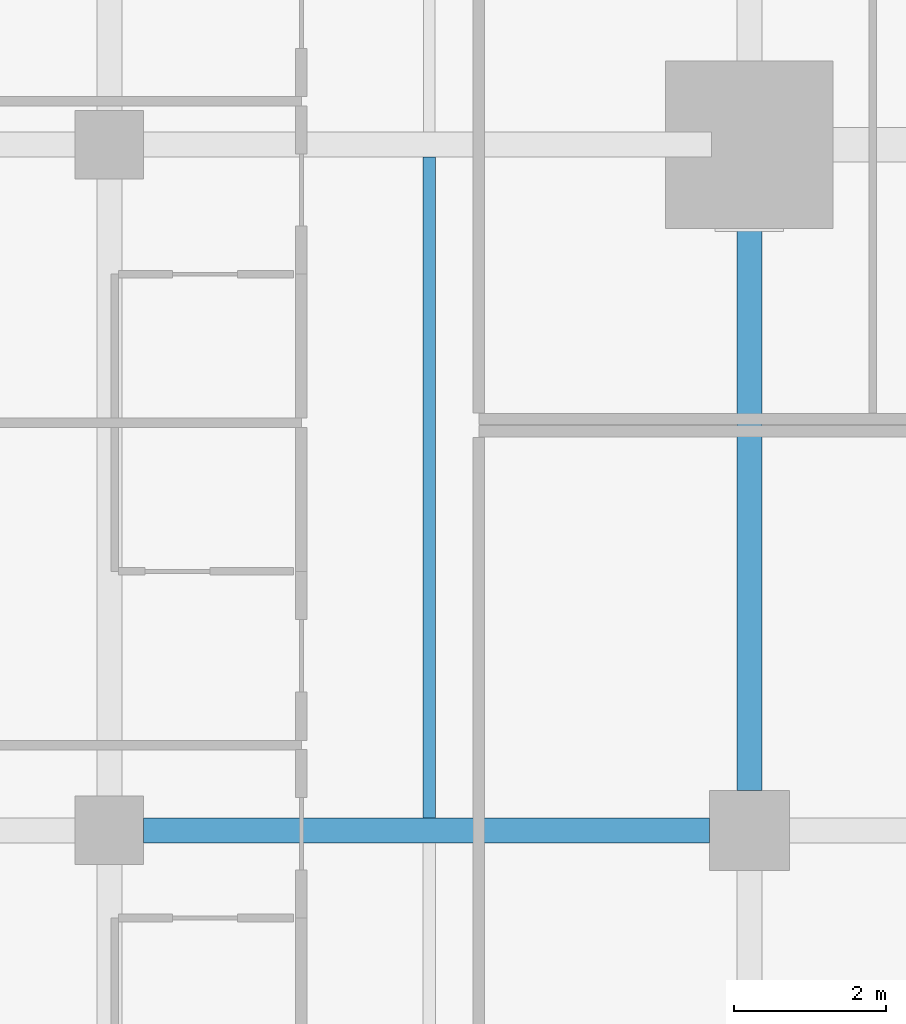
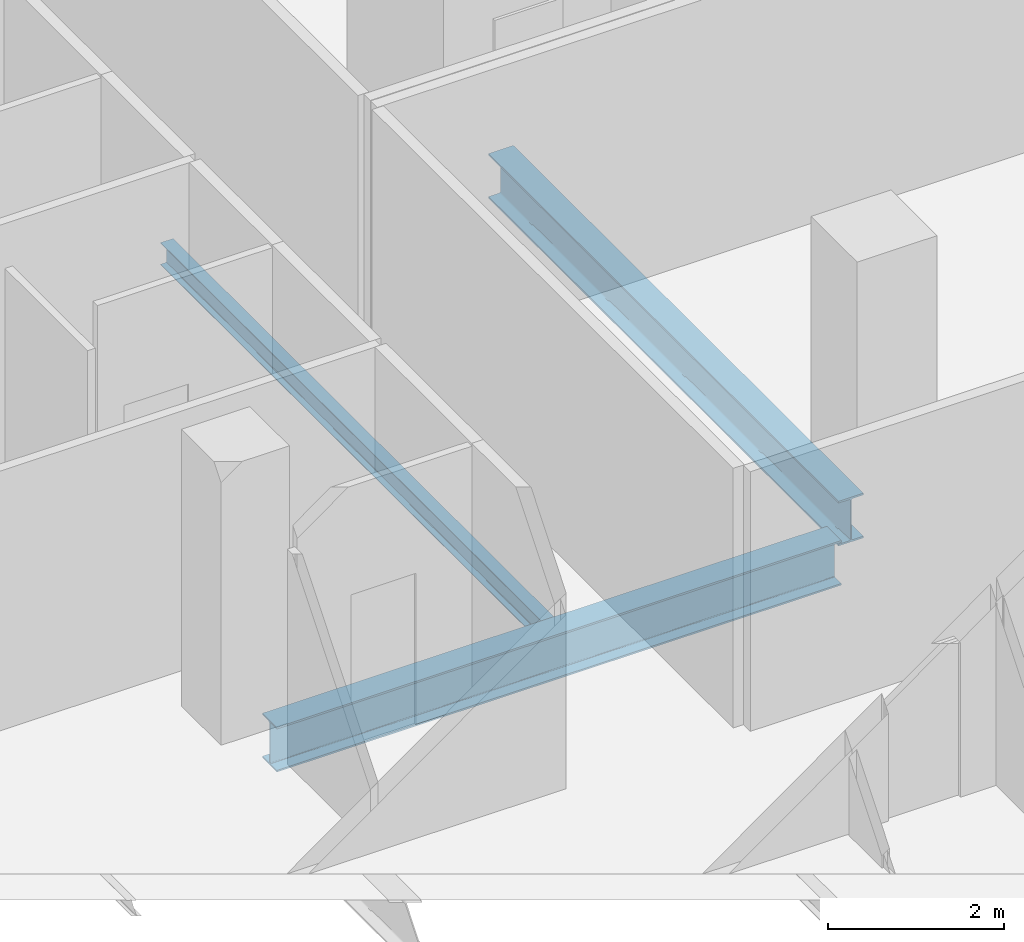
# One storey, part 11 of 40: 3 beams.
"""IFC4 building model written with IfcOpenShell, lengths in metres."""

import ifcopenshell
import ifcopenshell.guid

model = None  # the IFC model being written
_history = None  # IfcOwnerHistory: only IFC2X3 demands one
_inside = {}  # id of a spatial element -> (the spatial element, [elements in it])
_under = {}  # id of a project, library or spatial element -> (it, [spatial elements below it])
_declared = {}  # id of a project -> (the project, [libraries it declares])
_typed = {}  # id of a type object -> (the type object, [elements of that type])
_made_of = {}  # id of a material, layer set ... -> (it, [elements and type objects made of it])


def new_model(schema):
    """Start an empty IFC model of exactly this schema.

    Asked for "IFC4X3", IfcOpenShell would pick the latest addendum, in which some entities
    have other attributes; the version numbers below select the first issue.
    IFC2X3 requires an IfcOwnerHistory on every rooted entity: one is made here for all.
    """
    global model, _history
    if schema == "IFC4X3":
        model = ifcopenshell.file(schema_version=(4, 3, 0, 0))
    else:
        model = ifcopenshell.file(schema=schema)
    _inside.clear()
    _under.clear()
    _declared.clear()
    _typed.clear()
    _made_of.clear()
    _history = None
    if model.schema == "IFC2X3":
        org = make("IfcOrganization", Name="unknown")
        user = make(
            "IfcPersonAndOrganization",
            ThePerson=make("IfcPerson", FamilyName="unknown"),
            TheOrganization=org,
        )
        app = make(
            "IfcApplication",
            ApplicationDeveloper=org,
            Version="unknown",
            ApplicationFullName="unknown",
            ApplicationIdentifier="unknown",
        )
        _history = make(
            "IfcOwnerHistory",
            OwningUser=user,
            OwningApplication=app,
            ChangeAction="ADDED",
            CreationDate=0,
        )
    return model


def make(cls, **values):
    """One entity of the class cls with the attributes given. An attribute that is None is left unset."""
    return model.create_entity(
        cls, **{name: value for name, value in values.items() if value is not None}
    )


def rooted(cls, **values):
    """An entity with a GlobalId (a new one), such as an element, a storey or a relation."""
    return make(cls, GlobalId=ifcopenshell.guid.new(), OwnerHistory=_history, **values)


def si_unit(unit_type, name, prefix=None):
    """IfcSIUnit, for example si_unit("LENGTHUNIT", "METRE", prefix="MILLI")."""
    return make("IfcSIUnit", UnitType=unit_type, Prefix=prefix, Name=name)


def assignment(units):
    """IfcUnitAssignment: the units of a project."""
    return None if units is None else make("IfcUnitAssignment", Units=units)


def point(xyz):
    """IfcCartesianPoint."""
    return None if xyz is None else make("IfcCartesianPoint", Coordinates=xyz)


def direction(xyz):
    """IfcDirection."""
    return None if xyz is None else make("IfcDirection", DirectionRatios=xyz)


def frame(location, z_axis=None, x_axis=None):
    """IfcAxis2Placement3D, a coordinate frame: its origin and axes. An axis left out is left unset."""
    return make(
        "IfcAxis2Placement3D",
        Location=point(location),
        Axis=direction(z_axis),
        RefDirection=direction(x_axis),
    )


def frame_2d(location, x_axis=None):
    """IfcAxis2Placement2D, a coordinate frame in the plane: its origin and x axis."""
    return make(
        "IfcAxis2Placement2D", Location=point(location), RefDirection=direction(x_axis)
    )


def origin():
    """The frame at (0, 0, 0) with its axes left unset."""
    return frame((0.0, 0.0, 0.0))


def origin_2d():
    """The frame at (0, 0) in the plane with its x axis left unset."""
    return frame_2d((0.0, 0.0))


def place(relative_to, where):
    """IfcLocalPlacement: puts the frame where relative to a parent placement (None: the world)."""
    return make(
        "IfcLocalPlacement", PlacementRelTo=relative_to, RelativePlacement=where
    )


def context(
    kind, dimensions, precision=None, world=None, true_north=None, identifier=None
):
    """IfcGeometricRepresentationContext, for example the 3D "Model" context."""
    return make(
        "IfcGeometricRepresentationContext",
        ContextIdentifier=identifier,
        ContextType=kind,
        CoordinateSpaceDimension=dimensions,
        Precision=precision,
        WorldCoordinateSystem=world,
        TrueNorth=true_north,
    )


def subcontext(parent, identifier, kind, view, scale=None):
    """IfcGeometricRepresentationSubContext, for example "Body" below "Model"."""
    return make(
        "IfcGeometricRepresentationSubContext",
        ContextIdentifier=identifier,
        ContextType=kind,
        ParentContext=parent,
        TargetScale=scale,
        TargetView=view,
    )


def project(units=None, contexts=None):
    """IfcProject with its units and contexts."""
    return rooted(
        "IfcProject",
        Name="project",
        RepresentationContexts=contexts,
        UnitsInContext=assignment(units),
    )


def spatial(cls, under=None, at=None, **own):
    """A site, building, storey or space (cls), placed at a placement, below another one or the project."""
    s = rooted(cls, ObjectPlacement=at, **own)
    if under is not None:
        _under.setdefault(under.id(), (under, []))[1].append(s)
    return s


def profile(cls, at=None, kind="AREA", **sizes):
    """A parametric profile (cls). Its sizes go by their IFC names, for example OverallWidth=200.0."""
    return make(cls, ProfileType=kind, Position=at, **sizes)


def i_section(**sizes):
    """IfcIShapeProfileDef."""
    return profile("IfcIShapeProfileDef", **sizes)


def extrude(swept, where, along, depth):
    """IfcExtrudedAreaSolid: the profile swept, set in the frame where, extruded along a direction by depth."""
    return make(
        "IfcExtrudedAreaSolid",
        SweptArea=swept,
        Position=where,
        ExtrudedDirection=direction(along),
        Depth=depth,
    )


def shape(context_of_items, identifier, shape_type, items):
    """IfcShapeRepresentation: the items that make up one representation, for example the "Body"."""
    return make(
        "IfcShapeRepresentation",
        ContextOfItems=context_of_items,
        RepresentationIdentifier=identifier,
        RepresentationType=shape_type,
        Items=items,
    )


def material(Name=None, Category=None):
    """IfcMaterial."""
    return make("IfcMaterial", Name=Name, Category=Category)


def material_profile(
    of_material, cross_section, Name=None, Category=None, Priority=None
):
    """IfcMaterialProfile: a cross section and its material."""
    return make(
        "IfcMaterialProfile",
        Name=Name,
        Material=of_material,
        Profile=cross_section,
        Priority=Priority,
        Category=Category,
    )


def profile_set(profiles, Name=None, composite=None):
    """IfcMaterialProfileSet."""
    return make(
        "IfcMaterialProfileSet",
        Name=Name,
        MaterialProfiles=profiles,
        CompositeProfile=composite,
    )


def made_of(thing, what):
    """Note that an element or type object is made of a material, layer set ...; save() writes the relation."""
    if what is not None:
        _made_of.setdefault(what.id(), (what, []))[1].append(thing)
    return thing


def type_object(cls, material=None, **own):
    """A type object (cls), such as IfcWallType, which elements share."""
    return made_of(rooted(cls, **own), material)


def element(
    cls,
    number,
    at=None,
    inside=None,
    cuts=None,
    type_object=None,
    material=None,
    context=None,
    identifier="Body",
    shape_type=None,
    held_by="IfcProductDefinitionShape",
    body=None,
    shapes=None,
    **own,
):
    """One element of the class cls, such as IfcWall. Its Tag is "e" and its number.

    at: its placement. inside: the storey or other place that contains it. cuts: it is an
    opening in that element (IfcRelVoidsElement). A single representation is given by context,
    identifier, shape_type and body (its items); several are given by shapes. held_by: the class
    of the entity that holds the representations. save() writes the other relations.
    """
    e = rooted(cls, Tag="e%d" % number, ObjectPlacement=at, **own)
    if body is not None:
        shapes = [shape(context, identifier, shape_type, body)]
    if shapes is not None:
        e.Representation = make(held_by, Representations=shapes)
    if inside is not None:
        _inside.setdefault(inside.id(), (inside, []))[1].append(e)
    if cuts is not None:
        rooted(
            "IfcRelVoidsElement", RelatingBuildingElement=cuts, RelatedOpeningElement=e
        )
    if type_object is not None:
        _typed.setdefault(type_object.id(), (type_object, []))[1].append(e)
    return made_of(e, material)


def aggregate(whole, parts):
    """IfcRelAggregates: a whole, such as a stair, and the parts it consists of."""
    return rooted("IfcRelAggregates", RelatingObject=whole, RelatedObjects=parts)


def save(model, path):
    """Write the relations noted so far, then the file.

    IfcRelAggregates (storeys below a building ...), IfcRelContainedInSpatialStructure (elements
    in a storey), IfcRelDefinesByType, IfcRelAssociatesMaterial and IfcRelDeclares: one each for
    every whole, place, type object, material and project.
    """
    for whole, parts in _under.values():
        aggregate(whole, parts)
    for where, things in _inside.values():
        rooted(
            "IfcRelContainedInSpatialStructure",
            RelatedElements=things,
            RelatingStructure=where,
        )
    for kind, things in _typed.values():
        rooted("IfcRelDefinesByType", RelatedObjects=things, RelatingType=kind)
    for what, things in _made_of.values():
        rooted("IfcRelAssociatesMaterial", RelatedObjects=things, RelatingMaterial=what)
    for by, libraries in _declared.values():
        rooted("IfcRelDeclares", RelatingContext=by, RelatedDefinitions=libraries)
    model.write(path)


model = new_model("IFC4")

# Units and contexts
model_context = context("Model", 3, precision=1e-05, world=origin(), true_north=direction((0.0, 1.0)))
body_context = subcontext(model_context, "Body", "Model", "MODEL_VIEW")
ifc_project = project(units=[si_unit("LENGTHUNIT", "METRE"), si_unit("AREAUNIT", "SQUARE_METRE"), si_unit("VOLUMEUNIT", "CUBIC_METRE"), si_unit("PLANEANGLEUNIT", "RADIAN"), si_unit("MASSUNIT", "GRAM", prefix="KILO")], contexts=[model_context])

# Site, building, storey
site_placement = place(None, origin())
site = spatial("IfcSite", under=ifc_project, at=site_placement, CompositionType="ELEMENT")
building_placement = place(site_placement, origin())
building = spatial("IfcBuilding", under=site, at=building_placement, Name="Maruvema Waterfront Hotel and Observation Tower", CompositionType="ELEMENT")
storey_placement = place(building_placement, frame((0.0, 0.0, 38.5)))
storey = spatial("IfcBuildingStorey", under=building, at=storey_placement, Name="L08", CompositionType="ELEMENT", Elevation=38.5)

# Beams
ifc_material_1 = material(Name="Steel ASTM A572 Grade 50", Category="steel")
ifc_material_profile_1 = material_profile(ifc_material_1, i_section(OverallWidth=0.326904296875, OverallDepth=0.6220703125, WebThickness=0.015380859375, FlangeThickness=0.0244140625, FilletRadius=0.01806640625, at=origin_2d()), Name="W610x195.0")
ifc_profile_set_1 = profile_set([ifc_material_profile_1], Name="Steel ASTM A572 Grade 50")
beam_type_1 = type_object("IfcBeamType", Name="Primary Floor Girder W610x195.0", PredefinedType="BEAM", material=ifc_profile_set_1)
beam_1_placement = place(storey_placement, frame((17.25, 18.0, -0.551025390625), z_axis=(1.0, 0.0, 0.0), x_axis=(0.0, 1.0, 0.0)))
element("IfcBeam", 1, at=beam_1_placement, inside=storey, type_object=beam_type_1, Name="L08 Floor Girder EW-14", PredefinedType="BEAM", context=body_context, shape_type="SweptSolid", body=[
    extrude(i_section(OverallWidth=0.326904296875, OverallDepth=0.6220703125, WebThickness=0.015380859375, FlangeThickness=0.0244140625, FilletRadius=0.01806640625, at=origin_2d()), origin(), (0.0, 0.0, 1.0), 7.425048828125),
])
beam_2_placement = place(storey_placement, frame((25.199951171875, 18.52490234375, -0.551025390625), z_axis=(0.0, 1.0, 0.0), x_axis=(-1.0, 0.0, 0.0)))
element("IfcBeam", 2, at=beam_2_placement, inside=storey, type_object=beam_type_1, Name="L08 Floor Girder NS-13", PredefinedType="BEAM", context=body_context, shape_type="SweptSolid", body=[
    extrude(i_section(OverallWidth=0.326904296875, OverallDepth=0.6220703125, WebThickness=0.015380859375, FlangeThickness=0.0244140625, FilletRadius=0.01806640625, at=origin_2d()), origin(), (0.0, 0.0, 1.0), 7.97509765625),
])
ifc_material_2 = material(Name="Steel ASTM A572 Grade 50", Category="steel")
ifc_material_profile_2 = material_profile(ifc_material_2, i_section(OverallWidth=0.1650390625, OverallDepth=0.31005859375, WebThickness=0.005859375, FlangeThickness=0.009765625, FilletRadius=0.012939453125, at=origin_2d()), Name="W310x38.7")
ifc_profile_set_2 = profile_set([ifc_material_profile_2], Name="Steel ASTM A572 Grade 50")
beam_type_2 = type_object("IfcBeamType", Name="Secondary Floor Joist W310x38.7", PredefinedType="JOIST", material=ifc_profile_set_2)
beam_3_placement = place(storey_placement, frame((21.0, 18.16357421875, -0.39501953125), z_axis=(0.0, 1.0, 0.0), x_axis=(-1.0, 0.0, 0.0)))
element("IfcBeam", 3, at=beam_3_placement, inside=storey, type_object=beam_type_2, Name="L08 Secondary Floor Joist JS-07", PredefinedType="JOIST", context=body_context, shape_type="SweptSolid", body=[
    extrude(i_section(OverallWidth=0.1650390625, OverallDepth=0.31005859375, WebThickness=0.005859375, FlangeThickness=0.009765625, FilletRadius=0.012939453125, at=origin_2d()), origin(), (0.0, 0.0, 1.0), 8.6728515625),
])

save(model, "model.ifc")
